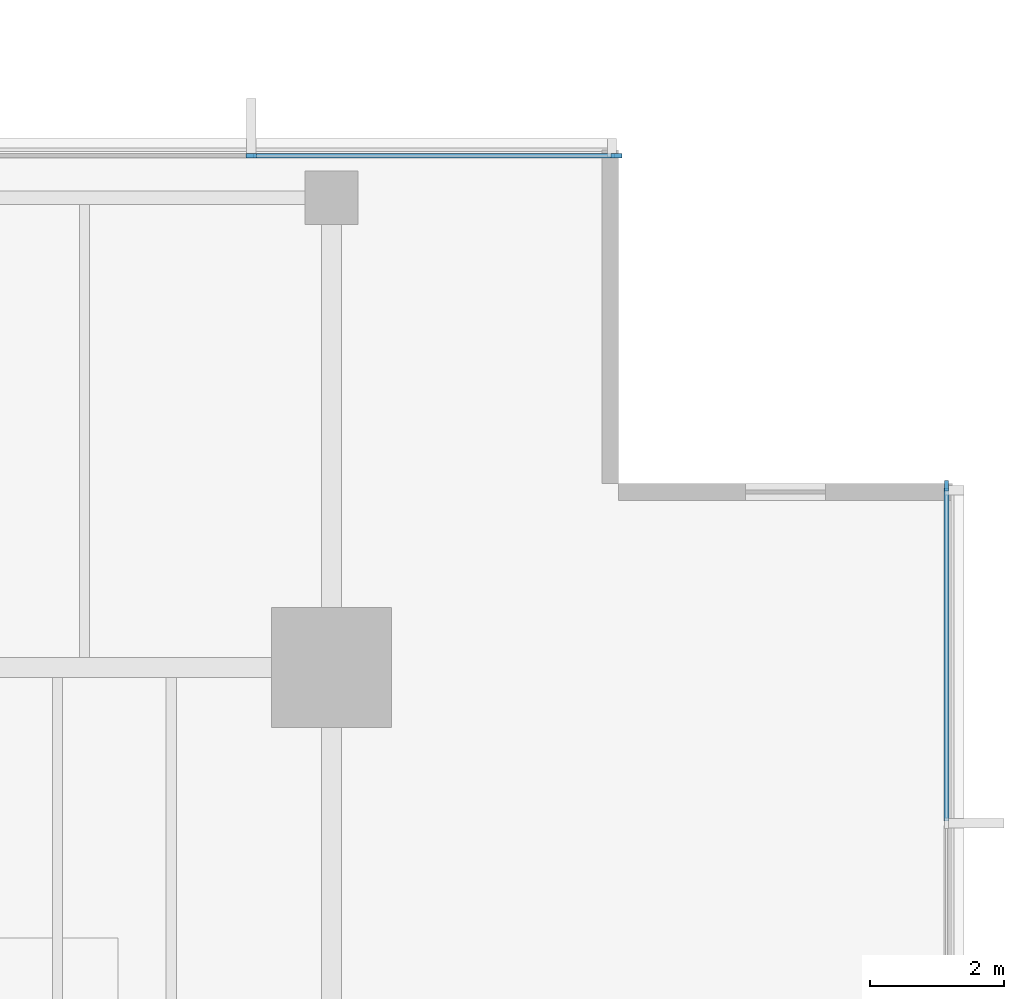
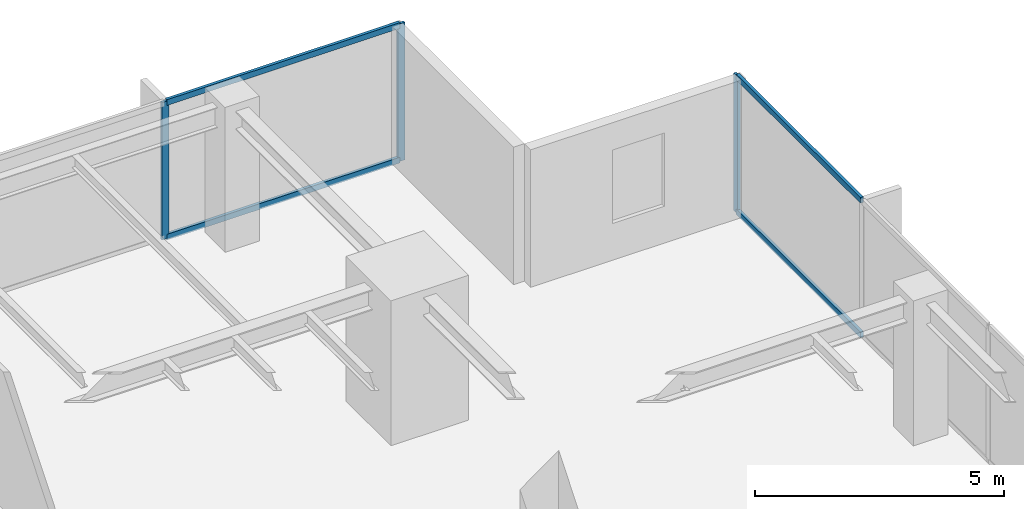
# One storey, part 6 of 14: 7 members, 2 elements without a shape of their own.
"""IFC4 building model written with IfcOpenShell, lengths in metres."""

from ifc_helpers import new_model, si_unit, direction, frame, origin, origin_2d, place, context, subcontext, project, spatial, rectangle, extrude, material, layer, layer_set, material_profile, profile_set, type_object, element, aggregate, save


model = new_model("IFC4")

# Units and contexts
model_context = context("Model", 3, precision=1e-05, world=origin(), true_north=direction((0.0, 1.0)))
body_context = subcontext(model_context, "Body", "Model", "MODEL_VIEW")
ifc_project = project(units=[si_unit("LENGTHUNIT", "METRE"), si_unit("AREAUNIT", "SQUARE_METRE"), si_unit("VOLUMEUNIT", "CUBIC_METRE"), si_unit("PLANEANGLEUNIT", "RADIAN"), si_unit("MASSUNIT", "GRAM", prefix="KILO")], contexts=[model_context])

# Site, building, storey
site_placement = place(None, origin())
site = spatial("IfcSite", under=ifc_project, at=site_placement, CompositionType="ELEMENT")
building_placement = place(site_placement, origin())
building = spatial("IfcBuilding", under=site, at=building_placement, Name="Kinhvarn Gate Tower", CompositionType="ELEMENT")
storey_placement = place(building_placement, frame((0.0, 0.0, 198.699951171875)))
storey = spatial("IfcBuildingStorey", under=building, at=storey_placement, Name="L52", CompositionType="ELEMENT", Elevation=198.699951171875)

# Curtain wall, members
ifc_material = material(Name="Anodised aluminium AW-6063", Category="aluminium")
ifc_layer = layer(ifc_material, 0.179931640625)
ifc_layer_set = layer_set([ifc_layer], Name="Anodised aluminium AW-6063")
curtain_wall_type = type_object("IfcCurtainWallType", Name="CW-SYS-3", PredefinedType="NOTDEFINED", material=ifc_layer_set)
curtain_wall_1_placement = place(storey_placement, origin())
curtain_wall_1 = element("IfcCurtainWall", 1, at=curtain_wall_1_placement, inside=storey, type_object=curtain_wall_type, Name="Curtain Wall CW3 (L52)", PredefinedType="NOTDEFINED")
ifc_material_profile_1 = material_profile(ifc_material, rectangle(XDim=0.06494140625, YDim=0.159912109375, at=origin_2d()), Name="ALU 65x160")
ifc_profile_set_1 = profile_set([ifc_material_profile_1], Name="Anodised aluminium AW-6063")
member_type_1 = type_object("IfcMemberType", Name="CW-MUL-160", PredefinedType="MULLION", material=ifc_profile_set_1)
member_1_placement = place(storey_placement, frame((42.467529296875, 45.409912109375, 0.0), z_axis=(0.0, 0.0, 1.0), x_axis=(0.0, -1.0, 0.0)))
member_1 = element("IfcMember", 2, at=member_1_placement, type_object=member_type_1, Name="CW3 mullion 1", PredefinedType="MULLION", context=body_context, shape_type="SweptSolid", body=[
    extrude(rectangle(XDim=0.06494140625, YDim=0.159912109375, at=origin_2d()), origin(), (0.0, 0.0, 1.0), 3.3701171875),
])
member_2_placement = place(storey_placement, frame((37.0, 45.409912109375, 0.0), z_axis=(0.0, 0.0, 1.0), x_axis=(0.0, -1.0, 0.0)))
member_2 = element("IfcMember", 3, at=member_2_placement, type_object=member_type_1, Name="CW3 mullion 2", PredefinedType="MULLION", context=body_context, shape_type="SweptSolid", body=[
    extrude(rectangle(XDim=0.06494140625, YDim=0.159912109375, at=origin_2d()), origin(), (0.0, 0.0, 1.0), 3.3701171875),
])

# Curtain wall, member
curtain_wall_2_placement = place(storey_placement, origin())
curtain_wall_2 = element("IfcCurtainWall", 4, at=curtain_wall_2_placement, inside=storey, type_object=curtain_wall_type, Name="Curtain Wall CW3 (L52)", PredefinedType="NOTDEFINED")
member_3_placement = place(storey_placement, frame((47.409912109375, 40.467529296875, 0.0), z_axis=(0.0, 0.0, 1.0), x_axis=(-1.0, 0.0, 0.0)))
member_3 = element("IfcMember", 5, at=member_3_placement, type_object=member_type_1, Name="CW3 mullion 7", PredefinedType="MULLION", context=body_context, shape_type="SweptSolid", body=[
    extrude(rectangle(XDim=0.06494140625, YDim=0.159912109375, at=origin_2d()), origin(), (0.0, 0.0, 1.0), 3.3701171875),
])

# Member
ifc_material_profile_2 = material_profile(ifc_material, rectangle(XDim=0.070068359375, YDim=0.139892578125, at=origin_2d()), Name="ALU 70x140")
ifc_profile_set_2 = profile_set([ifc_material_profile_2], Name="Anodised aluminium AW-6063")
member_type_2 = type_object("IfcMemberType", Name="CW-TRN-140", PredefinedType="USERDEFINED", material=ifc_profile_set_2)
member_4_placement = place(storey_placement, frame((42.43505859375, 45.409912109375, 0.03515625), z_axis=(-1.0, 0.0, 0.0), x_axis=(0.0, -1.0, 0.0)))
member_4 = element("IfcMember", 6, at=member_4_placement, type_object=member_type_2, Name="CW3 transom 1.1", ObjectType="TRANSOM", PredefinedType="USERDEFINED", context=body_context, shape_type="SweptSolid", body=[
    extrude(rectangle(XDim=0.070068359375, YDim=0.139892578125, at=origin_2d()), origin(), (0.0, 0.0, 1.0), 5.402587890625),
])

member_5_placement = place(storey_placement, frame((42.43505859375, 45.409912109375, 3.3349609375), z_axis=(-1.0, 0.0, 0.0), x_axis=(0.0, -1.0, 0.0)))
member_5 = element("IfcMember", 7, at=member_5_placement, type_object=member_type_2, Name="CW3 transom 1.2", ObjectType="TRANSOM", PredefinedType="USERDEFINED", context=body_context, shape_type="SweptSolid", body=[
    extrude(rectangle(XDim=0.070068359375, YDim=0.139892578125, at=origin_2d()), origin(), (0.0, 0.0, 1.0), 5.402587890625),
])

aggregate(curtain_wall_1, [member_1, member_2, member_4, member_5])

member_6_placement = place(storey_placement, frame((47.409912109375, 35.44921875, 0.03515625), z_axis=(0.0, 1.0, 0.0), x_axis=(-1.0, 0.0, 0.0)))
member_6 = element("IfcMember", 8, at=member_6_placement, type_object=member_type_2, Name="CW3 transom 6.1", ObjectType="TRANSOM", PredefinedType="USERDEFINED", context=body_context, shape_type="SweptSolid", body=[
    extrude(rectangle(XDim=0.070068359375, YDim=0.139892578125, at=origin_2d()), origin(), (0.0, 0.0, 1.0), 4.98583984375),
])

member_7_placement = place(storey_placement, frame((47.409912109375, 35.44921875, 3.3349609375), z_axis=(0.0, 1.0, 0.0), x_axis=(-1.0, 0.0, 0.0)))
member_7 = element("IfcMember", 9, at=member_7_placement, type_object=member_type_2, Name="CW3 transom 6.2", ObjectType="TRANSOM", PredefinedType="USERDEFINED", context=body_context, shape_type="SweptSolid", body=[
    extrude(rectangle(XDim=0.070068359375, YDim=0.139892578125, at=origin_2d()), origin(), (0.0, 0.0, 1.0), 4.98583984375),
])

aggregate(curtain_wall_2, [member_3, member_6, member_7])

save(model, "model.ifc")
